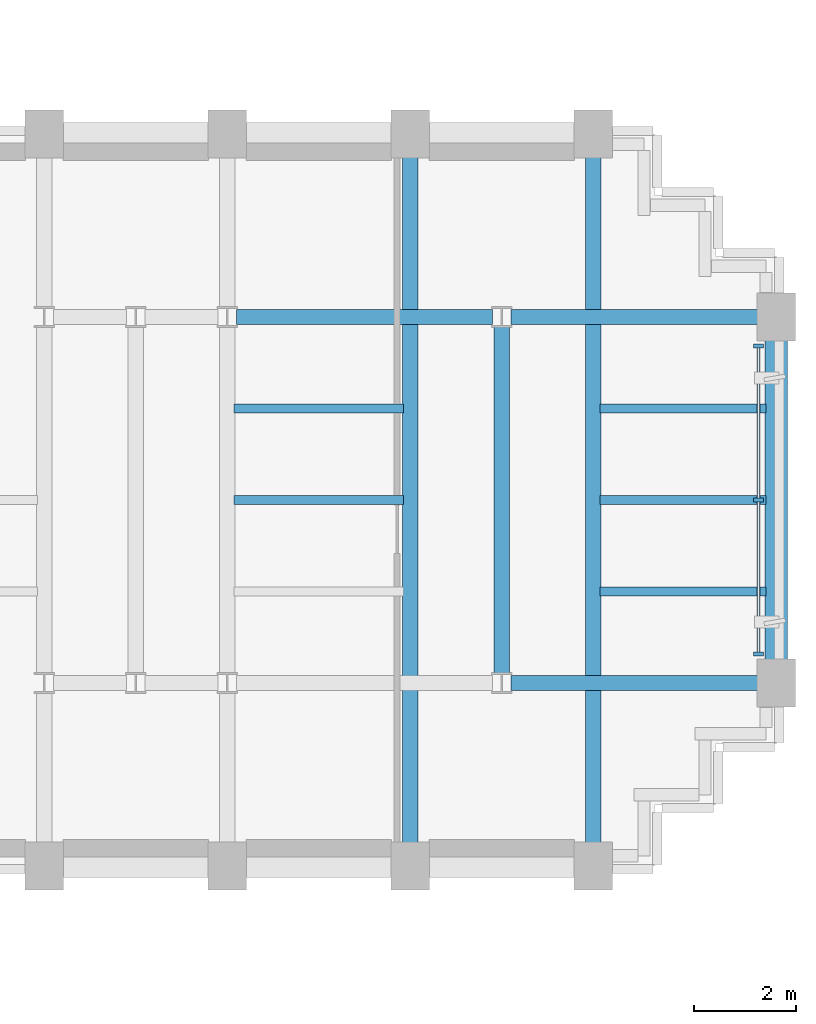
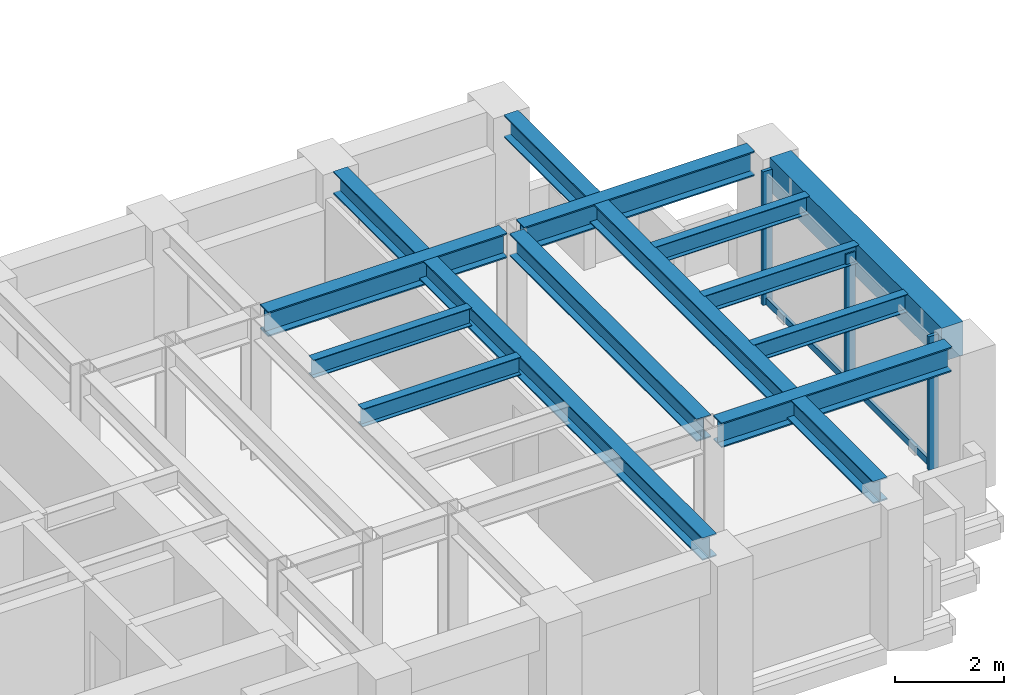
# One storey, part 6 of 16: 12 beams, 5 members, 1 element without a shape of its own.
"""IFC4 building model written with IfcOpenShell, lengths in metres."""

from ifc_helpers import new_model, si_unit, direction, frame, origin, origin_2d, place, context, subcontext, project, spatial, rectangle, i_section, extrude, source, transform, mapped, material, material_profile, profile_set, type_object, element, aggregate, save


model = new_model("IFC4")

# Units and contexts
model_context = context("Model", 3, precision=1e-05, world=origin(), true_north=direction((0.0, 1.0)))
body_context = subcontext(model_context, "Body", "Model", "MODEL_VIEW")
ifc_project = project(units=[si_unit("LENGTHUNIT", "METRE"), si_unit("AREAUNIT", "SQUARE_METRE"), si_unit("VOLUMEUNIT", "CUBIC_METRE"), si_unit("PLANEANGLEUNIT", "RADIAN"), si_unit("MASSUNIT", "GRAM", prefix="KILO")], contexts=[model_context])

# Site, building, storey
site_placement = place(None, origin())
site = spatial("IfcSite", under=ifc_project, at=site_placement, CompositionType="ELEMENT")
building_placement = place(site_placement, origin())
building = spatial("IfcBuilding", under=site, at=building_placement, Name="Keilestroom Media Tower", CompositionType="ELEMENT")
storey_placement = place(building_placement, frame((0.0, 0.0, 85.0)))
storey = spatial("IfcBuildingStorey", under=building, at=storey_placement, Name="L22", CompositionType="ELEMENT", Elevation=85.0)

# Beams
ifc_material_1 = material(Name="Precast concrete C40/50", Category="concrete")
ifc_material_profile_1 = material_profile(ifc_material_1, rectangle(XDim=0.449951171875, YDim=0.75, at=origin_2d()), Name="PC 450x750")
ifc_profile_set_1 = profile_set([ifc_material_profile_1], Name="Precast concrete C40/50")
beam_type_1 = type_object("IfcBeamType", Name="Perimeter-Spandrel-Beam-PC-450x750", PredefinedType="SPANDREL", material=ifc_profile_set_1)
shared_shape_1 = source(origin(), body_context, "Body", "SweptSolid", [
    extrude(rectangle(XDim=0.449951171875, YDim=0.75, at=origin_2d()), origin(), (0.0, 0.0, 1.0), 6.2900390625),
])
beam_1_placement = place(storey_placement, frame((28.800048828125, -3.14501953125, 2.764892578125), z_axis=(0.0, 1.0, 0.0), x_axis=(-1.0, 0.0, 0.0)))
element("IfcBeam", 1, at=beam_1_placement, inside=storey, type_object=beam_type_1, Name="L22 Beam SPB-1 BM-L22-NS-086", PredefinedType="SPANDREL", context=body_context, shape_type="MappedRepresentation", body=[
    mapped(shared_shape_1, transform((0.0, 0.0, 0.0), x_axis=(1.0, 0.0, 0.0), y_axis=(0.0, 1.0, 0.0), z_axis=(0.0, 0.0, 1.0), scale=1.0)),
])
ifc_material_2 = material(Name="Steel S355", Category="steel")
ifc_material_profile_2 = material_profile(ifc_material_2, i_section(OverallWidth=0.300048828125, OverallDepth=0.550048828125, WebThickness=0.012939453125, FlangeThickness=0.029052734375, at=origin_2d()), Name="HEB 550")
ifc_profile_set_2 = profile_set([ifc_material_profile_2], Name="Steel S355")
beam_type_2 = type_object("IfcBeamType", Name="Primary-Structural-Girder-HEB-550", PredefinedType="BEAM", material=ifc_profile_set_2)
shared_shape_2 = source(origin(), body_context, "Body", "SweptSolid", [
    extrude(i_section(OverallWidth=0.300048828125, OverallDepth=0.550048828125, WebThickness=0.012939453125, FlangeThickness=0.029052734375, at=origin_2d()), origin(), (0.0, 0.0, 1.0), 4.863037109375),
])
for number, where, z_axis, x_axis, name in (
    (2, (23.58203125, -3.60009765625, 2.864990234375), (1.0, 0.0, 0.0), (0.0, 1.0, 0.0), "L22 Beam BG-5 BM-L22-EW-025"),
    (3, (23.58203125, 3.60009765625, 2.864990234375), (1.0, 0.0, 0.0), (0.0, 1.0, 0.0), "L22 Beam BG-5 BM-L22-EW-033"),
):
    element("IfcBeam", number, at=place(storey_placement, frame(where, z_axis=z_axis, x_axis=x_axis)), inside=storey, type_object=beam_type_2, Name=name, PredefinedType="BEAM", context=body_context, shape_type="MappedRepresentation", body=[
        mapped(shared_shape_2, transform((0.0, 0.0, 0.0), x_axis=(1.0, 0.0, 0.0), y_axis=(0.0, 1.0, 0.0), z_axis=(0.0, 0.0, 1.0), scale=1.0)),
    ])
shared_shape_3 = source(origin(), body_context, "Body", "SweptSolid", [
    extrude(i_section(OverallWidth=0.300048828125, OverallDepth=0.550048828125, WebThickness=0.012939453125, FlangeThickness=0.029052734375, at=origin_2d()), origin(), (0.0, 0.0, 1.0), 5.0361328125),
])
beam_2_placement = place(storey_placement, frame((18.181884765625, 3.60009765625, 2.864990234375), z_axis=(1.0, 0.0, 0.0), x_axis=(0.0, 1.0, 0.0)))
element("IfcBeam", 4, at=beam_2_placement, inside=storey, type_object=beam_type_2, Name="L22 Beam BG-5 BM-L22-EW-032", PredefinedType="BEAM", context=body_context, shape_type="MappedRepresentation", body=[
    mapped(shared_shape_3, transform((0.0, 0.0, 0.0), x_axis=(1.0, 0.0, 0.0), y_axis=(0.0, 1.0, 0.0), z_axis=(0.0, 0.0, 1.0), scale=1.0)),
])
ifc_material_profile_3 = material_profile(ifc_material_2, i_section(OverallWidth=0.300048828125, OverallDepth=0.5, WebThickness=0.012451171875, FlangeThickness=0.028076171875, at=origin_2d()), Name="HEB 500")
ifc_profile_set_3 = profile_set([ifc_material_profile_3], Name="Steel S355")
beam_type_3 = type_object("IfcBeamType", Name="Primary-Structural-Girder-HEB-500", PredefinedType="BEAM", material=ifc_profile_set_3)
shared_shape_4 = source(origin(), body_context, "Body", "SweptSolid", [
    extrude(i_section(OverallWidth=0.300048828125, OverallDepth=0.5, WebThickness=0.012451171875, FlangeThickness=0.028076171875, at=origin_2d()), origin(), (0.0, 0.0, 1.0), 13.490234375),
])
for number, where, z_axis, x_axis, name in (
    (5, (21.60009765625, -6.7451171875, 2.889892578125), (0.0, 1.0, 0.0), (-1.0, 0.0, 0.0), "L22 Beam BG-6 BM-L22-NS-083"),
    (6, (25.199951171875, -6.7451171875, 2.889892578125), (0.0, 1.0, 0.0), (-1.0, 0.0, 0.0), "L22 Beam BG-6 BM-L22-NS-085"),
):
    element("IfcBeam", number, at=place(storey_placement, frame(where, z_axis=z_axis, x_axis=x_axis)), inside=storey, type_object=beam_type_3, Name=name, PredefinedType="BEAM", context=body_context, shape_type="MappedRepresentation", body=[
        mapped(shared_shape_4, transform((0.0, 0.0, 0.0), x_axis=(1.0, 0.0, 0.0), y_axis=(0.0, 1.0, 0.0), z_axis=(0.0, 0.0, 1.0), scale=1.0)),
    ])
shared_shape_5 = source(origin(), body_context, "Body", "SweptSolid", [
    extrude(i_section(OverallWidth=0.300048828125, OverallDepth=0.5, WebThickness=0.012451171875, FlangeThickness=0.028076171875, at=origin_2d()), origin(), (0.0, 0.0, 1.0), 6.8330078125),
])
beam_3_placement = place(storey_placement, frame((23.39990234375, -3.41650390625, 2.889892578125), z_axis=(0.0, 1.0, 0.0), x_axis=(-1.0, 0.0, 0.0)))
element("IfcBeam", 7, at=beam_3_placement, inside=storey, type_object=beam_type_3, Name="L22 Beam BG-6 BM-L22-NS-084", PredefinedType="BEAM", context=body_context, shape_type="MappedRepresentation", body=[
    mapped(shared_shape_5, transform((0.0, 0.0, 0.0), x_axis=(1.0, 0.0, 0.0), y_axis=(0.0, 1.0, 0.0), z_axis=(0.0, 0.0, 1.0), scale=1.0)),
])
ifc_material_profile_4 = material_profile(ifc_material_2, i_section(OverallWidth=0.179931640625, OverallDepth=0.39990234375, WebThickness=0.008544921875, FlangeThickness=0.013427734375, at=origin_2d()), Name="IPE 400")
ifc_profile_set_4 = profile_set([ifc_material_profile_4], Name="Steel S355")
beam_type_4 = type_object("IfcBeamType", Name="Secondary-Floor-Joist-IPE-400", PredefinedType="JOIST", material=ifc_profile_set_4)
shared_shape_6 = source(origin(), body_context, "Body", "SweptSolid", [
    extrude(i_section(OverallWidth=0.179931640625, OverallDepth=0.39990234375, WebThickness=0.008544921875, FlangeThickness=0.013427734375, at=origin_2d()), origin(), (0.0, 0.0, 1.0), 3.264892578125),
])
for number, where, z_axis, x_axis, name in (
    (8, (25.330078125, -1.800048828125, 2.93994140625), (1.0, 0.0, 0.0), (0.0, 1.0, 0.0), "L22 Beam BJ-4 JST-L22-095"),
    (9, (25.330078125, 0.0, 2.93994140625), (1.0, 0.0, 0.0), (0.0, 1.0, 0.0), "L22 Beam BJ-4 JST-L22-102"),
    (10, (25.330078125, 1.800048828125, 2.93994140625), (1.0, 0.0, 0.0), (0.0, 1.0, 0.0), "L22 Beam BJ-4 JST-L22-109"),
):
    element("IfcBeam", number, at=place(storey_placement, frame(where, z_axis=z_axis, x_axis=x_axis)), inside=storey, type_object=beam_type_4, Name=name, PredefinedType="JOIST", context=body_context, shape_type="MappedRepresentation", body=[
        mapped(shared_shape_6, transform((0.0, 0.0, 0.0), x_axis=(1.0, 0.0, 0.0), y_axis=(0.0, 1.0, 0.0), z_axis=(0.0, 0.0, 1.0), scale=1.0)),
    ])
shared_shape_7 = source(origin(), body_context, "Body", "SweptSolid", [
    extrude(i_section(OverallWidth=0.179931640625, OverallDepth=0.39990234375, WebThickness=0.008544921875, FlangeThickness=0.013427734375, at=origin_2d()), origin(), (0.0, 0.0, 1.0), 3.340087890625),
])
for number, where, z_axis, x_axis, name in (
    (11, (18.1298828125, 0.0, 2.93994140625), (1.0, 0.0, 0.0), (0.0, 1.0, 0.0), "L22 Beam BJ-4 JST-L22-101"),
    (12, (18.1298828125, 1.800048828125, 2.93994140625), (1.0, 0.0, 0.0), (0.0, 1.0, 0.0), "L22 Beam BJ-4 JST-L22-108"),
):
    element("IfcBeam", number, at=place(storey_placement, frame(where, z_axis=z_axis, x_axis=x_axis)), inside=storey, type_object=beam_type_4, Name=name, PredefinedType="JOIST", context=body_context, shape_type="MappedRepresentation", body=[
        mapped(shared_shape_7, transform((0.0, 0.0, 0.0), x_axis=(1.0, 0.0, 0.0), y_axis=(0.0, 1.0, 0.0), z_axis=(0.0, 0.0, 1.0), scale=1.0)),
    ])

# Curtain wall, members
ifc_material_3 = material(Name="Anodised Aluminium Alloy", Category="aluminium")
curtain_wall_type = type_object("IfcCurtainWallType", Name="Unitised-Curtain-Wall-CW-1", PredefinedType="NOTDEFINED", material=ifc_material_3)
curtain_wall_placement = place(storey_placement, origin())
curtain_wall = element("IfcCurtainWall", 13, at=curtain_wall_placement, inside=storey, type_object=curtain_wall_type, Name="L22 Curtain Wall CW-1 CW-L22-E-1", PredefinedType="NOTDEFINED")
ifc_material_profile_5 = material_profile(ifc_material_3, rectangle(XDim=0.070068359375, YDim=0.199951171875, at=origin_2d()), Name="ALU MULLION 70x200")
ifc_profile_set_5 = profile_set([ifc_material_profile_5], Name="Anodised Aluminium Alloy")
member_type_1 = type_object("IfcMemberType", Name="Curtain-Wall-Mullion-CW-1", PredefinedType="MULLION", material=ifc_profile_set_5)
shared_shape_8 = source(origin(), body_context, "Body", "SweptSolid", [
    extrude(rectangle(XDim=0.070068359375, YDim=0.199951171875, at=origin_2d()), origin(), (0.0, 0.0, 1.0), 2.97998046875),
])
member_1_placement = place(storey_placement, frame((28.449951171875, -3.030029296875, 0.0), z_axis=(0.0, 0.0, 1.0), x_axis=(0.0, 1.0, 0.0)))
member_1 = element("IfcMember", 14, at=member_1_placement, type_object=member_type_1, Name="CW-1 Mullion 00", PredefinedType="MULLION", context=body_context, shape_type="MappedRepresentation", body=[
    mapped(shared_shape_8, transform((0.0, 0.0, 0.0), x_axis=(1.0, 0.0, 0.0), y_axis=(0.0, 1.0, 0.0), z_axis=(0.0, 0.0, 1.0), scale=1.0)),
])
member_2_placement = place(storey_placement, frame((28.449951171875, 0.0, 0.0), z_axis=(0.0, 0.0, 1.0), x_axis=(0.0, 1.0, 0.0)))
member_2 = element("IfcMember", 15, at=member_2_placement, type_object=member_type_1, Name="CW-1 Mullion 01", PredefinedType="MULLION", context=body_context, shape_type="MappedRepresentation", body=[
    mapped(shared_shape_8, transform((0.0, 0.0, 0.0), x_axis=(1.0, 0.0, 0.0), y_axis=(0.0, 1.0, 0.0), z_axis=(0.0, 0.0, 1.0), scale=1.0)),
])
member_3_placement = place(storey_placement, frame((28.449951171875, 3.030029296875, 0.0), z_axis=(0.0, 0.0, 1.0), x_axis=(0.0, 1.0, 0.0)))
member_3 = element("IfcMember", 16, at=member_3_placement, type_object=member_type_1, Name="CW-1 Mullion 02", PredefinedType="MULLION", context=body_context, shape_type="MappedRepresentation", body=[
    mapped(shared_shape_8, transform((0.0, 0.0, 0.0), x_axis=(1.0, 0.0, 0.0), y_axis=(0.0, 1.0, 0.0), z_axis=(0.0, 0.0, 1.0), scale=1.0)),
])
ifc_material_profile_6 = material_profile(ifc_material_3, rectangle(XDim=0.06494140625, YDim=0.14990234375, at=origin_2d()), Name="ALU TRANSOM 65x150")
ifc_profile_set_6 = profile_set([ifc_material_profile_6], Name="Anodised Aluminium Alloy")
member_type_2 = type_object("IfcMemberType", Name="Curtain-Wall-Transom-CW-1", PredefinedType="USERDEFINED", material=ifc_profile_set_6)
shared_shape_9 = source(origin(), body_context, "Body", "SweptSolid", [
    extrude(rectangle(XDim=0.06494140625, YDim=0.14990234375, at=origin_2d()), origin(), (0.0, 0.0, 1.0), 2.964111328125),
])
member_4_placement = place(storey_placement, frame((28.449951171875, -2.9970703125, 0.074951171875), z_axis=(0.0, 1.0, 0.0), x_axis=(-1.0, 0.0, 0.0)))
member_4 = element("IfcMember", 17, at=member_4_placement, type_object=member_type_2, Name="CW-1 Transom 00.1", ObjectType="TRANSOM", PredefinedType="USERDEFINED", context=body_context, shape_type="MappedRepresentation", body=[
    mapped(shared_shape_9, transform((0.0, 0.0, 0.0), x_axis=(1.0, 0.0, 0.0), y_axis=(0.0, 1.0, 0.0), z_axis=(0.0, 0.0, 1.0), scale=1.0)),
])
member_5_placement = place(storey_placement, frame((28.449951171875, 0.032958984375, 0.074951171875), z_axis=(0.0, 1.0, 0.0), x_axis=(-1.0, 0.0, 0.0)))
member_5 = element("IfcMember", 18, at=member_5_placement, type_object=member_type_2, Name="CW-1 Transom 01.1", ObjectType="TRANSOM", PredefinedType="USERDEFINED", context=body_context, shape_type="MappedRepresentation", body=[
    mapped(shared_shape_9, transform((0.0, 0.0, 0.0), x_axis=(1.0, 0.0, 0.0), y_axis=(0.0, 1.0, 0.0), z_axis=(0.0, 0.0, 1.0), scale=1.0)),
])
aggregate(curtain_wall, [member_1, member_2, member_3, member_4, member_5])

save(model, "model.ifc")
